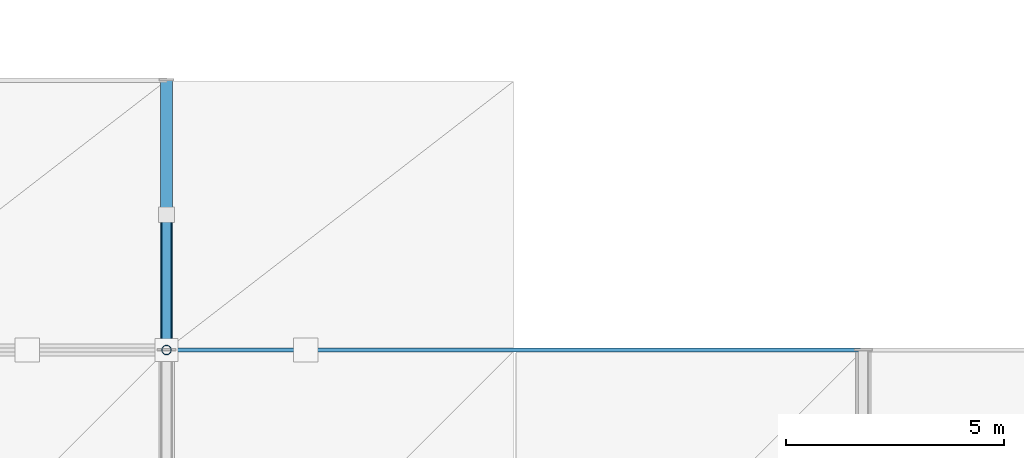
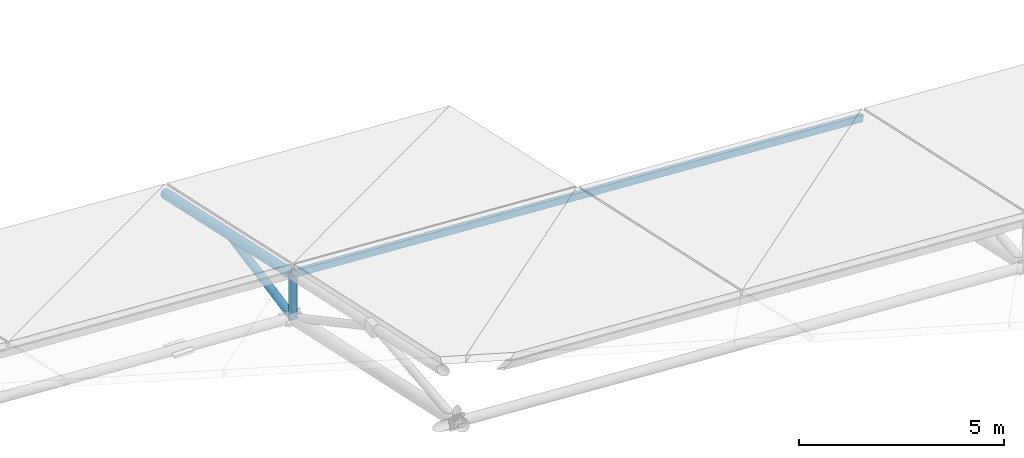
# One storey, part 33 of 67: 4 members.
"""IFC4 building model written with IfcOpenShell, lengths in metres."""

from ifc_helpers import new_model, si_unit, direction, frame, origin, origin_2d, place, context, subcontext, project, spatial, hollow_rectangle, hollow_circle, extrude, material, material_profile, profile_set, type_object, element, save


model = new_model("IFC4")

# Units and contexts
model_context = context("Model", 3, precision=1e-05, world=origin(), true_north=direction((0.0, 1.0)))
body_context = subcontext(model_context, "Body", "Model", "MODEL_VIEW")
ifc_project = project(units=[si_unit("LENGTHUNIT", "METRE"), si_unit("AREAUNIT", "SQUARE_METRE"), si_unit("VOLUMEUNIT", "CUBIC_METRE"), si_unit("PLANEANGLEUNIT", "RADIAN"), si_unit("MASSUNIT", "GRAM", prefix="KILO")], contexts=[model_context])

# Site, building, storey
site_placement = place(None, origin())
site = spatial("IfcSite", under=ifc_project, at=site_placement, CompositionType="ELEMENT")
building_placement = place(site_placement, origin())
building = spatial("IfcBuilding", under=site, at=building_placement, Name="Drelvath Fold Interchange", CompositionType="ELEMENT")
storey_placement = place(building_placement, frame((0.0, 0.0, 15.60009765625)))
storey = spatial("IfcBuildingStorey", under=building, at=storey_placement, Name="L03", CompositionType="ELEMENT", Elevation=15.60009765625)

# Members
ifc_material = material(Name="Steel ASTM A500 Grade C", Category="steel")
ifc_material_profile_1 = material_profile(ifc_material, hollow_rectangle(XDim=0.10205078125, YDim=0.202880859375, WallThickness=0.00732421875, at=origin_2d()), Name="HSS8X4X5/16")
ifc_profile_set_1 = profile_set([ifc_material_profile_1], Name="Steel ASTM A500 Grade C")
member_type_1 = type_object("IfcMemberType", Name="PR-HSS203", PredefinedType="PURLIN", material=ifc_profile_set_1)
member_1_placement = place(storey_placement, frame((134.0, 67.0, 1.476806640625), z_axis=(0.998194047838, 0.0, -0.060071980662), x_axis=(0.0, 1.0, 0.0)))
element("IfcMember", 1, at=member_1_placement, inside=storey, type_object=member_type_1, Name="L03 Space frame canopy purlin PR-HSS203", PredefinedType="PURLIN", context=body_context, shape_type="SweptSolid", body=[
    extrude(hollow_rectangle(XDim=0.10205078125, YDim=0.202880859375, WallThickness=0.00732421875, at=origin_2d()), origin(), (0.0, 0.0, 1.0), 16.029052734375),
])
ifc_material_profile_2 = material_profile(ifc_material, hollow_circle(Radius=0.136474609375, WallThickness=0.01171875, at=origin_2d()), Name="HSS10.750X0.500")
ifc_profile_set_2 = profile_set([ifc_material_profile_2], Name="Steel ASTM A500 Grade C")
member_type_2 = type_object("IfcMemberType", Name="SF-CHD273", PredefinedType="CHORD", material=ifc_profile_set_2)
member_2_placement = place(storey_placement, frame((134.0, 67.0, 1.44482421875), z_axis=(0.0, 0.977045617988, -0.213030186525), x_axis=(-1.0, 0.0, 0.0)))
element("IfcMember", 2, at=member_2_placement, inside=storey, type_object=member_type_2, Name="L03 Space frame roof truss upper chord SF-CHD273", PredefinedType="CHORD", context=body_context, shape_type="SweptSolid", body=[
    extrude(hollow_circle(Radius=0.136474609375, WallThickness=0.01171875, at=origin_2d()), origin(), (0.0, 0.0, 1.0), 6.345703125),
])
ifc_material_profile_3 = material_profile(ifc_material, hollow_circle(Radius=0.109619140625, WallThickness=0.0087890625, at=origin_2d()), Name="HSS8.625X0.375")
ifc_profile_set_3 = profile_set([ifc_material_profile_3], Name="Steel ASTM A500 Grade C")
member_type_3 = type_object("IfcMemberType", Name="SF-WEB219", PredefinedType="BRACE", material=ifc_profile_set_3)
member_3_placement = place(storey_placement, frame((134.0, 67.0, 0.1748046875), z_axis=(0.0, 0.982134211284, 0.188181803123), x_axis=(-1.0, 0.0, 0.0)))
element("IfcMember", 3, at=member_3_placement, inside=storey, type_object=member_type_3, Name="L03 Space frame roof truss web brace SF-WEB219", PredefinedType="BRACE", context=body_context, shape_type="SweptSolid", body=[
    extrude(hollow_circle(Radius=0.109619140625, WallThickness=0.0087890625, at=origin_2d()), origin(), (0.0, 0.0, 1.0), 3.156494140625),
])
member_4_placement = place(storey_placement, frame((134.0, 67.0, 0.1748046875), z_axis=(0.0, 0.0, 1.0), x_axis=(1.0, 0.0, 0.0)))
element("IfcMember", 4, at=member_4_placement, inside=storey, type_object=member_type_3, Name="L03 Space frame roof truss web brace SF-WEB219", PredefinedType="BRACE", context=body_context, shape_type="SweptSolid", body=[
    extrude(hollow_circle(Radius=0.109619140625, WallThickness=0.0087890625, at=origin_2d()), origin(), (0.0, 0.0, 1.0), 1.27001953125),
])

save(model, "model.ifc")
